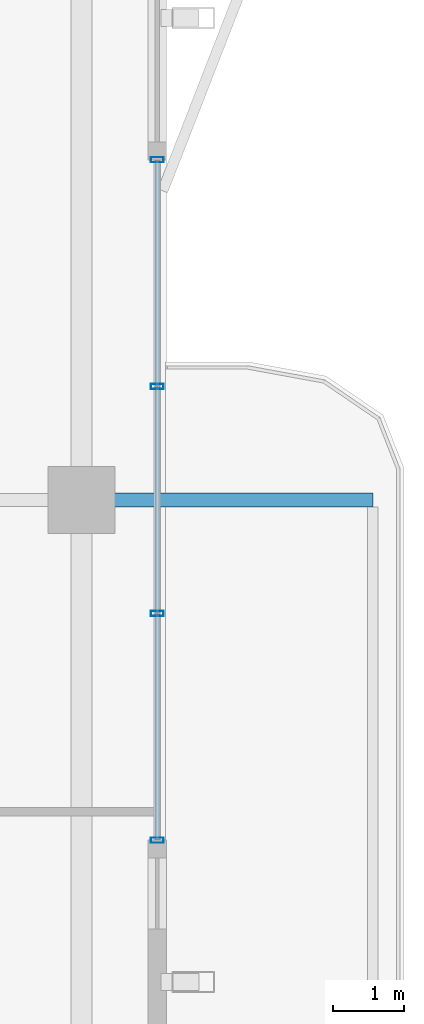
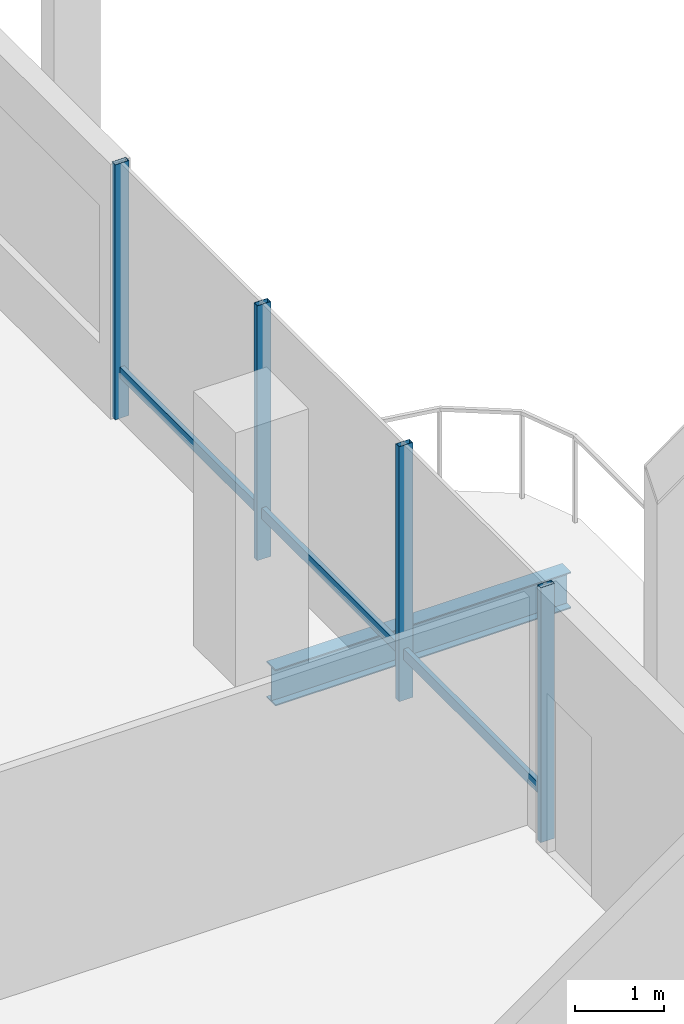
# One storey, part 9 of 20: 7 members, 1 beam, 1 element without a shape of its own.
"""IFC4 building model written with IfcOpenShell, lengths in metres."""

from ifc_helpers import new_model, si_unit, direction, frame, origin, origin_2d, place, context, subcontext, project, spatial, hollow_rectangle, i_section, extrude, material, layer, layer_set, material_profile, profile_set, type_object, element, aggregate, save


model = new_model("IFC4")

# Units and contexts
model_context = context("Model", 3, precision=1e-05, world=origin(), true_north=direction((0.0, 1.0)))
body_context = subcontext(model_context, "Body", "Model", "MODEL_VIEW")
ifc_project = project(units=[si_unit("LENGTHUNIT", "METRE"), si_unit("AREAUNIT", "SQUARE_METRE"), si_unit("VOLUMEUNIT", "CUBIC_METRE"), si_unit("PLANEANGLEUNIT", "RADIAN"), si_unit("MASSUNIT", "GRAM", prefix="KILO")], contexts=[model_context])

# Site, building, storey
site_placement = place(None, origin())
site = spatial("IfcSite", under=ifc_project, at=site_placement, CompositionType="ELEMENT")
building_placement = place(site_placement, origin())
building = spatial("IfcBuilding", under=site, at=building_placement, Name="Belovzor Exchange Tower", CompositionType="ELEMENT")
storey_placement = place(building_placement, frame((0.0, 0.0, 314.25)))
storey = spatial("IfcBuildingStorey", under=building, at=storey_placement, Name="L78", CompositionType="ELEMENT", Elevation=314.25)

# Beam
ifc_material_1 = material(Name="Steel S355", Category="steel")
ifc_material_profile_1 = material_profile(ifc_material_1, i_section(OverallWidth=0.199951171875, OverallDepth=0.5, WebThickness=0.01025390625, FlangeThickness=0.01611328125, at=origin_2d()))
ifc_profile_set_1 = profile_set([ifc_material_profile_1], Name="Steel S355")
beam_type = type_object("IfcBeamType", Name="Planted Balcony Cantilever Beam IPE 500", PredefinedType="BEAM", material=ifc_profile_set_1)
beam_placement = place(storey_placement, frame((50.660888671875, 28.800048828125, -0.489990234375), z_axis=(1.0, 0.0, 0.0), x_axis=(0.0, 1.0, 0.0)))
element("IfcBeam", 1, at=beam_placement, inside=storey, type_object=beam_type, Name="BC-500 Planted Balcony Cantilever Beam IPE 500", PredefinedType="BEAM", context=body_context, shape_type="SweptSolid", body=[
    extrude(i_section(OverallWidth=0.199951171875, OverallDepth=0.5, WebThickness=0.01025390625, FlangeThickness=0.01611328125, at=origin_2d()), origin(), (0.0, 0.0, 1.0), 3.85009765625),
])

# Curtain wall, members
ifc_material_2 = material(Name="Anodised Aluminium Framing", Category="aluminium")
ifc_layer = layer(ifc_material_2, 0.179931640625)
ifc_layer_set = layer_set([ifc_layer], Name="Anodised Aluminium Framing")
curtain_wall_type = type_object("IfcCurtainWallType", Name="Recessed Loggia Low-Iron Triple-Glazed Curtain Wall", PredefinedType="NOTDEFINED", material=ifc_layer_set)
curtain_wall_placement = place(storey_placement, origin())
curtain_wall = element("IfcCurtainWall", 2, at=curtain_wall_placement, inside=storey, type_object=curtain_wall_type, Name="CW3 Recessed Loggia Low-Iron Triple-Glazed Curtain Wall L78", PredefinedType="NOTDEFINED")
ifc_material_3 = material(Name="Steel S355", Category="steel")
ifc_material_profile_2 = material_profile(ifc_material_3, hollow_rectangle(XDim=0.074951171875, YDim=0.179931640625, WallThickness=0.0048828125, at=origin_2d()))
ifc_profile_set_2 = profile_set([ifc_material_profile_2], Name="Steel S355")
member_type_1 = type_object("IfcMemberType", Name="Thermally Broken Curtain Wall Mullion 180x75", PredefinedType="MULLION", material=ifc_profile_set_2)
member_1_placement = place(storey_placement, frame((51.469970703125, 33.60009765625, 0.0), z_axis=(0.0, 0.0, 1.0), x_axis=(0.0, -1.0, 0.0)))
member_1 = element("IfcMember", 3, at=member_1_placement, type_object=member_type_1, Name="CW-M180 Curtain Wall Mullion 1", PredefinedType="MULLION", context=body_context, shape_type="SweptSolid", body=[
    extrude(hollow_rectangle(XDim=0.074951171875, YDim=0.179931640625, WallThickness=0.0048828125, at=origin_2d()), origin(), (0.0, 0.0, 1.0), 3.510009765625),
])
member_2_placement = place(storey_placement, frame((51.469970703125, 30.39990234375, 0.0), z_axis=(0.0, 0.0, 1.0), x_axis=(0.0, -1.0, 0.0)))
member_2 = element("IfcMember", 4, at=member_2_placement, type_object=member_type_1, Name="CW-M180 Curtain Wall Mullion 2", PredefinedType="MULLION", context=body_context, shape_type="SweptSolid", body=[
    extrude(hollow_rectangle(XDim=0.074951171875, YDim=0.179931640625, WallThickness=0.0048828125, at=origin_2d()), origin(), (0.0, 0.0, 1.0), 3.510009765625),
])
member_3_placement = place(storey_placement, frame((51.469970703125, 27.199951171875, 0.0), z_axis=(0.0, 0.0, 1.0), x_axis=(0.0, -1.0, 0.0)))
member_3 = element("IfcMember", 5, at=member_3_placement, type_object=member_type_1, Name="CW-M180 Curtain Wall Mullion 3", PredefinedType="MULLION", context=body_context, shape_type="SweptSolid", body=[
    extrude(hollow_rectangle(XDim=0.074951171875, YDim=0.179931640625, WallThickness=0.0048828125, at=origin_2d()), origin(), (0.0, 0.0, 1.0), 3.510009765625),
])
member_4_placement = place(storey_placement, frame((51.469970703125, 24.0, 0.0), z_axis=(0.0, 0.0, 1.0), x_axis=(0.0, -1.0, 0.0)))
member_4 = element("IfcMember", 6, at=member_4_placement, type_object=member_type_1, Name="CW-M180 Curtain Wall Mullion 4", PredefinedType="MULLION", context=body_context, shape_type="SweptSolid", body=[
    extrude(hollow_rectangle(XDim=0.074951171875, YDim=0.179931640625, WallThickness=0.0048828125, at=origin_2d()), origin(), (0.0, 0.0, 1.0), 3.510009765625),
])
ifc_material_4 = material(Name="Steel S355", Category="steel")
ifc_material_profile_3 = material_profile(ifc_material_4, hollow_rectangle(XDim=0.06005859375, YDim=0.14990234375, WallThickness=0.00390625, at=origin_2d()))
ifc_profile_set_3 = profile_set([ifc_material_profile_3], Name="Steel S355")
member_type_2 = type_object("IfcMemberType", Name="Thermally Broken Curtain Wall Transom 150x60", PredefinedType="USERDEFINED", material=ifc_profile_set_3)
member_5_placement = place(storey_placement, frame((51.469970703125, 33.592041015625, 0.632080078125), z_axis=(0.0, -1.0, 0.0), x_axis=(1.0, 0.0, 0.0)))
member_5 = element("IfcMember", 7, at=member_5_placement, type_object=member_type_2, Name="CW-T150 Curtain Wall Transom 1", ObjectType="TRANSOM", PredefinedType="USERDEFINED", context=body_context, shape_type="SweptSolid", body=[
    extrude(hollow_rectangle(XDim=0.06005859375, YDim=0.14990234375, WallThickness=0.00390625, at=origin_2d()), origin(), (0.0, 0.0, 1.0), 3.18408203125),
])
member_6_placement = place(storey_placement, frame((51.469970703125, 30.39208984375, 0.632080078125), z_axis=(0.0, -1.0, 0.0), x_axis=(1.0, 0.0, 0.0)))
member_6 = element("IfcMember", 8, at=member_6_placement, type_object=member_type_2, Name="CW-T150 Curtain Wall Transom 2", ObjectType="TRANSOM", PredefinedType="USERDEFINED", context=body_context, shape_type="SweptSolid", body=[
    extrude(hollow_rectangle(XDim=0.06005859375, YDim=0.14990234375, WallThickness=0.00390625, at=origin_2d()), origin(), (0.0, 0.0, 1.0), 3.18408203125),
])
member_7_placement = place(storey_placement, frame((51.469970703125, 27.19189453125, 0.632080078125), z_axis=(0.0, -1.0, 0.0), x_axis=(1.0, 0.0, 0.0)))
member_7 = element("IfcMember", 9, at=member_7_placement, type_object=member_type_2, Name="CW-T150 Curtain Wall Transom 3", ObjectType="TRANSOM", PredefinedType="USERDEFINED", context=body_context, shape_type="SweptSolid", body=[
    extrude(hollow_rectangle(XDim=0.06005859375, YDim=0.14990234375, WallThickness=0.00390625, at=origin_2d()), origin(), (0.0, 0.0, 1.0), 3.183837890625),
])
aggregate(curtain_wall, [member_1, member_2, member_3, member_4, member_5, member_6, member_7])

save(model, "model.ifc")
